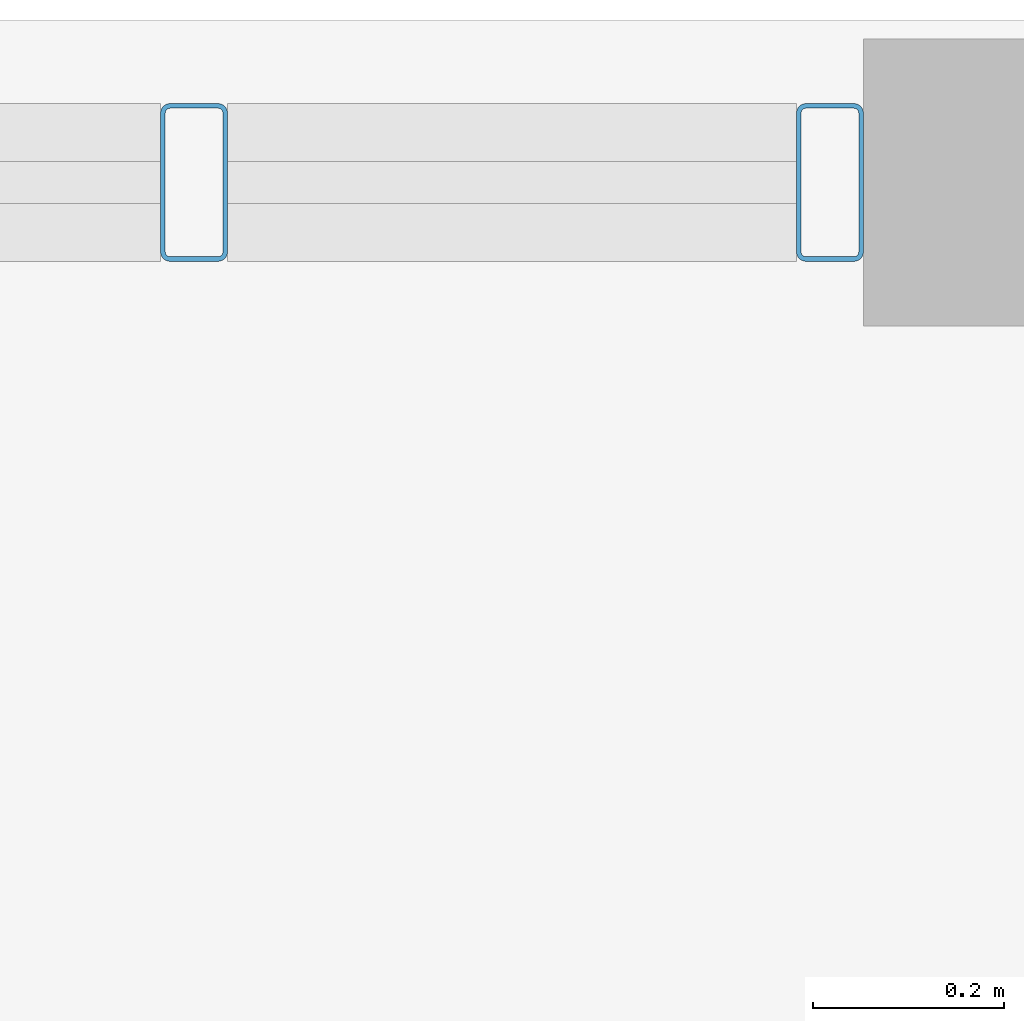
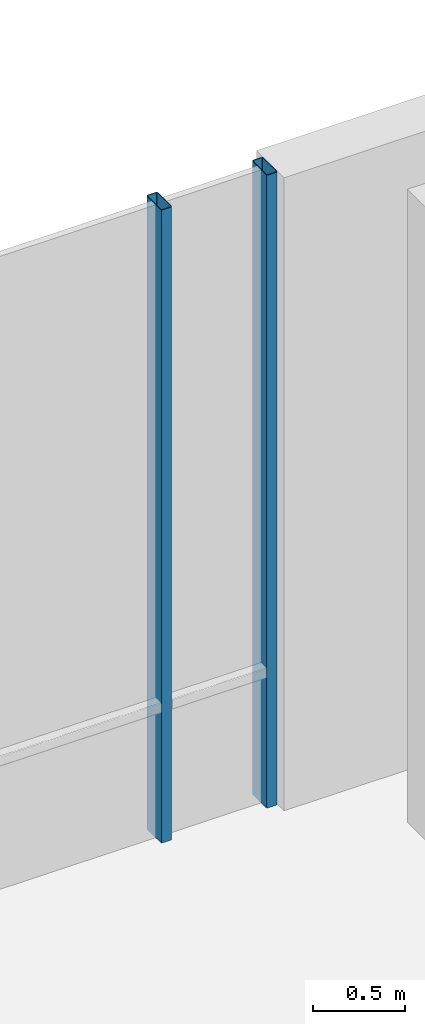
# One storey, part 7 of 25: 2 members, 1 element without a shape of its own.
"""IFC4 building model written with IfcOpenShell, lengths in metres."""

from ifc_helpers import new_model, si_unit, direction, frame, origin, origin_2d, place, context, subcontext, project, spatial, hollow_rectangle, extrude, material, layer, layer_set, material_profile, profile_set, type_object, element, aggregate, save


model = new_model("IFC4")

# Units and contexts
model_context = context("Model", 3, precision=1e-05, world=origin(), true_north=direction((0.0, 1.0)))
body_context = subcontext(model_context, "Body", "Model", "MODEL_VIEW")
ifc_project = project(units=[si_unit("LENGTHUNIT", "METRE"), si_unit("AREAUNIT", "SQUARE_METRE"), si_unit("VOLUMEUNIT", "CUBIC_METRE"), si_unit("PLANEANGLEUNIT", "RADIAN"), si_unit("MASSUNIT", "GRAM", prefix="KILO")], contexts=[model_context])

# Site, building, storey
site_placement = place(None, origin())
site = spatial("IfcSite", under=ifc_project, at=site_placement, CompositionType="ELEMENT")
building_placement = place(site_placement, origin())
building = spatial("IfcBuilding", under=site, at=building_placement, Name="Brevholm Reach", CompositionType="ELEMENT")
storey_placement = place(building_placement, frame((0.0, 0.0, 13.5)))
storey = spatial("IfcBuildingStorey", under=building, at=storey_placement, Name="L03", CompositionType="ELEMENT", Elevation=13.5)

# Curtain wall, members
ifc_material_1 = material(Name="Dark Anodised Aluminium 6063-T6 and Solar-Control Glass", Category="aluminium")
ifc_layer = layer(ifc_material_1, 0.1650390625)
ifc_layer_set = layer_set([ifc_layer], Name="Dark Anodised Aluminium 6063-T6 and Solar-Control Glass")
curtain_wall_type = type_object("IfcCurtainWallType", Name="CW-03", PredefinedType="NOTDEFINED", material=ifc_layer_set)
curtain_wall_placement = place(storey_placement, origin())
curtain_wall = element("IfcCurtainWall", 1, at=curtain_wall_placement, inside=storey, type_object=curtain_wall_type, Name="L03 Curtain Wall CW-03", PredefinedType="NOTDEFINED")
ifc_material_2 = material(Name="Dark Anodised Aluminium 6063-T6", Category="aluminium")
ifc_material_profile = material_profile(ifc_material_2, hollow_rectangle(XDim=0.070068359375, YDim=0.1650390625, WallThickness=0.0048828125, InnerFilletRadius=0.0048828125, OuterFilletRadius=0.010009765625, at=origin_2d()), Name="RHS 165x70x5")
ifc_profile_set = profile_set([ifc_material_profile], Name="Dark Anodised Aluminium 6063-T6")
member_type = type_object("IfcMemberType", Name="CWM-165", PredefinedType="MULLION", material=ifc_profile_set)
member_1_placement = place(storey_placement, frame((6.39990234375, 39.830078125, 0.0), z_axis=(0.0, 0.0, 1.0), x_axis=(1.0, 0.0, 0.0)))
member_1 = element("IfcMember", 2, at=member_1_placement, type_object=member_type, Name="CM-165 Mullion 5", PredefinedType="MULLION", context=body_context, shape_type="SweptSolid", body=[
    extrude(hollow_rectangle(XDim=0.070068359375, YDim=0.1650390625, WallThickness=0.0048828125, InnerFilletRadius=0.0048828125, OuterFilletRadius=0.010009765625, at=origin_2d()), origin(), (0.0, 0.0, 1.0), 4.219970703125),
])
member_2_placement = place(storey_placement, frame((7.06494140625, 39.830078125, 0.0), z_axis=(0.0, 0.0, 1.0), x_axis=(1.0, 0.0, 0.0)))
member_2 = element("IfcMember", 3, at=member_2_placement, type_object=member_type, Name="CM-165 Mullion 6", PredefinedType="MULLION", context=body_context, shape_type="SweptSolid", body=[
    extrude(hollow_rectangle(XDim=0.070068359375, YDim=0.1650390625, WallThickness=0.0048828125, InnerFilletRadius=0.0048828125, OuterFilletRadius=0.010009765625, at=origin_2d()), origin(), (0.0, 0.0, 1.0), 4.219970703125),
])
aggregate(curtain_wall, [member_1, member_2])

save(model, "model.ifc")
